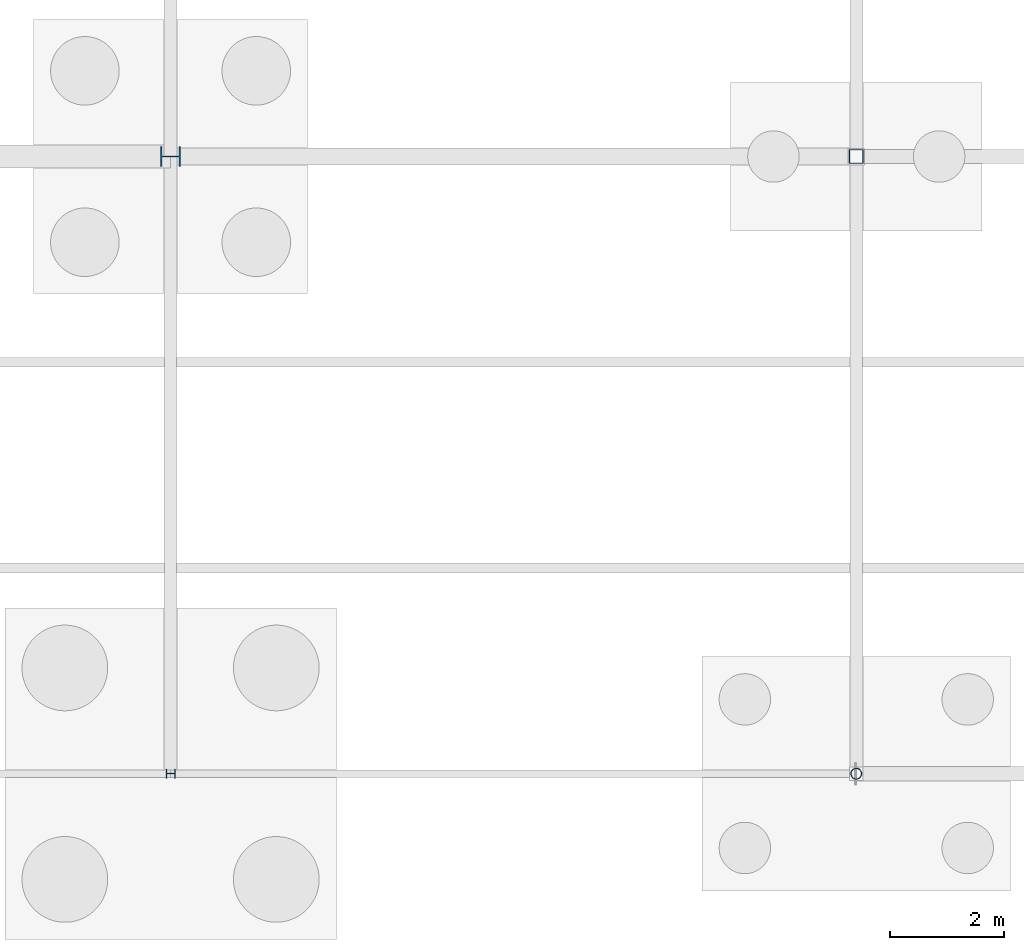
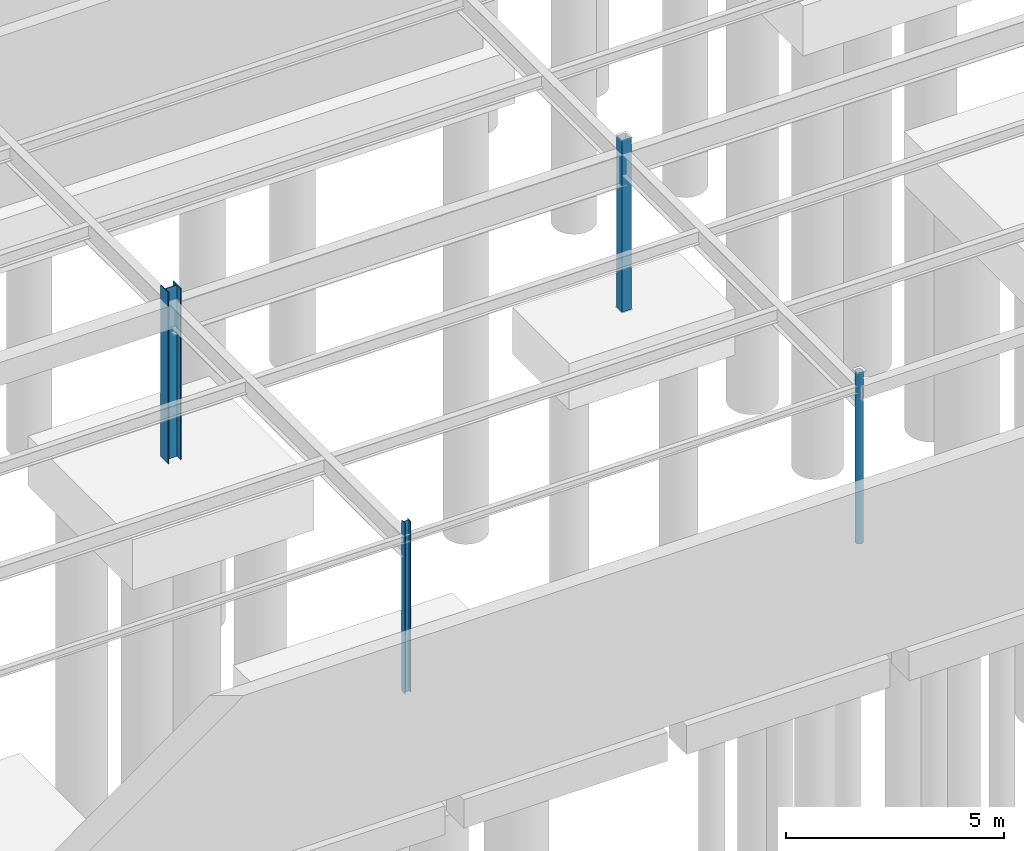
# One storey, part 47 of 136: 4 columns.
"""IFC4 building model written with IfcOpenShell, lengths in metres."""

from ifc_helpers import new_model, si_unit, direction, frame, origin, origin_2d, place, context, subcontext, project, spatial, hollow_rectangle, hollow_circle, i_section, extrude, material, material_profile, profile_set, type_object, element, save


model = new_model("IFC4")

# Units and contexts
model_context = context("Model", 3, precision=1e-05, world=origin(), true_north=direction((0.0, 1.0)))
body_context = subcontext(model_context, "Body", "Model", "MODEL_VIEW")
ifc_project = project(units=[si_unit("LENGTHUNIT", "METRE"), si_unit("AREAUNIT", "SQUARE_METRE"), si_unit("VOLUMEUNIT", "CUBIC_METRE"), si_unit("PLANEANGLEUNIT", "RADIAN"), si_unit("MASSUNIT", "GRAM", prefix="KILO")], contexts=[model_context])

# Site, building, storey
site_placement = place(None, origin())
site = spatial("IfcSite", under=ifc_project, at=site_placement, CompositionType="ELEMENT")
building_placement = place(site_placement, origin())
building = spatial("IfcBuilding", under=site, at=building_placement, Name="Tarnwether General Hospital", CompositionType="ELEMENT")
storey_placement = place(building_placement, frame((0.0, 0.0, -4.800048828125)))
storey = spatial("IfcBuildingStorey", under=building, at=storey_placement, Name="LG", CompositionType="ELEMENT", Elevation=-4.800048828125)

# Columns
ifc_material_1 = material(Name="Steel Grade 350 (350 MPa)", Category="steel")
ifc_material_profile_1 = material_profile(ifc_material_1, i_section(OverallWidth=0.35009765625, OverallDepth=0.35009765625, WebThickness=0.013916015625, FlangeThickness=0.02392578125, at=origin_2d()), Name="350WC197")
ifc_profile_set_1 = profile_set([ifc_material_profile_1], Name="Steel Grade 350 (350 MPa)")
column_type_1 = type_object("IfcColumnType", Name="COL-04", PredefinedType="COLUMN", material=ifc_profile_set_1)
column_1_placement = place(storey_placement, frame((156.0, 10.800048828125, 0.0), z_axis=(0.0, 0.0, 1.0), x_axis=(0.0, 1.0, 0.0)))
element("IfcColumn", 1, at=column_1_placement, inside=storey, type_object=column_type_1, Name="Column COLG-LG-15600_1080", PredefinedType="COLUMN", context=body_context, shape_type="SweptSolid", body=[
    extrude(i_section(OverallWidth=0.35009765625, OverallDepth=0.35009765625, WebThickness=0.013916015625, FlangeThickness=0.02392578125, at=origin_2d()), origin(), (0.0, 0.0, 1.0), 4.800048828125),
])
ifc_material_2 = material(Name="Steel Grade C350L0 (350 MPa)", Category="steel")
ifc_material_profile_2 = material_profile(ifc_material_2, hollow_rectangle(XDim=0.25, YDim=0.25, WallThickness=0.012451171875, at=origin_2d()), Name="SHS250x250x12.5")
ifc_profile_set_2 = profile_set([ifc_material_profile_2], Name="Steel Grade C350L0 (350 MPa)")
column_type_2 = type_object("IfcColumnType", Name="COL-14", PredefinedType="COLUMN", material=ifc_profile_set_2)
column_2_placement = place(storey_placement, frame((168.0, 10.800048828125, 0.0), z_axis=(0.0, 0.0, 1.0), x_axis=(1.0, 0.0, 0.0)))
element("IfcColumn", 2, at=column_2_placement, inside=storey, type_object=column_type_2, Name="Column COLG-LG-16800_1080", PredefinedType="COLUMN", context=body_context, shape_type="SweptSolid", body=[
    extrude(hollow_rectangle(XDim=0.25, YDim=0.25, WallThickness=0.012451171875, at=origin_2d()), origin(), (0.0, 0.0, 1.0), 4.800048828125),
])
ifc_material_3 = material(Name="Steel Grade C350L0 (350 MPa)", Category="steel")
ifc_material_profile_3 = material_profile(ifc_material_3, hollow_circle(Radius=0.096923828125, WallThickness=0.008056640625, at=origin_2d()), Name="CHS193.7x8.0")
ifc_profile_set_3 = profile_set([ifc_material_profile_3], Name="Steel Grade C350L0 (350 MPa)")
column_type_3 = type_object("IfcColumnType", Name="COL-29", PredefinedType="COLUMN", material=ifc_profile_set_3)
column_3_placement = place(storey_placement, frame((168.0, 0.0, 0.0), z_axis=(0.0, 0.0, 1.0), x_axis=(1.0, 0.0, 0.0)))
element("IfcColumn", 3, at=column_3_placement, inside=storey, type_object=column_type_3, Name="Column COLG-LG-16800_0", PredefinedType="COLUMN", context=body_context, shape_type="SweptSolid", body=[
    extrude(hollow_circle(Radius=0.096923828125, WallThickness=0.008056640625, at=origin_2d()), origin(), (0.0, 0.0, 1.0), 4.800048828125),
])
ifc_material_4 = material(Name="Steel Grade 350 (350 MPa)", Category="steel")
ifc_material_profile_4 = material_profile(ifc_material_4, i_section(OverallWidth=0.153076171875, OverallDepth=0.157958984375, WebThickness=0.006591796875, FlangeThickness=0.009521484375, at=origin_2d()), Name="150UC30.0")
ifc_profile_set_4 = profile_set([ifc_material_profile_4], Name="Steel Grade 350 (350 MPa)")
column_type_4 = type_object("IfcColumnType", Name="COL-31", PredefinedType="COLUMN", material=ifc_profile_set_4)
column_4_placement = place(storey_placement, frame((156.0, 0.0, 0.0), z_axis=(0.0, 0.0, 1.0), x_axis=(0.0, 1.0, 0.0)))
element("IfcColumn", 4, at=column_4_placement, inside=storey, type_object=column_type_4, Name="Column COLG-LG-15600_0", PredefinedType="COLUMN", context=body_context, shape_type="SweptSolid", body=[
    extrude(i_section(OverallWidth=0.153076171875, OverallDepth=0.157958984375, WebThickness=0.006591796875, FlangeThickness=0.009521484375, at=origin_2d()), origin(), (0.0, 0.0, 1.0), 4.800048828125),
])

save(model, "model.ifc")
